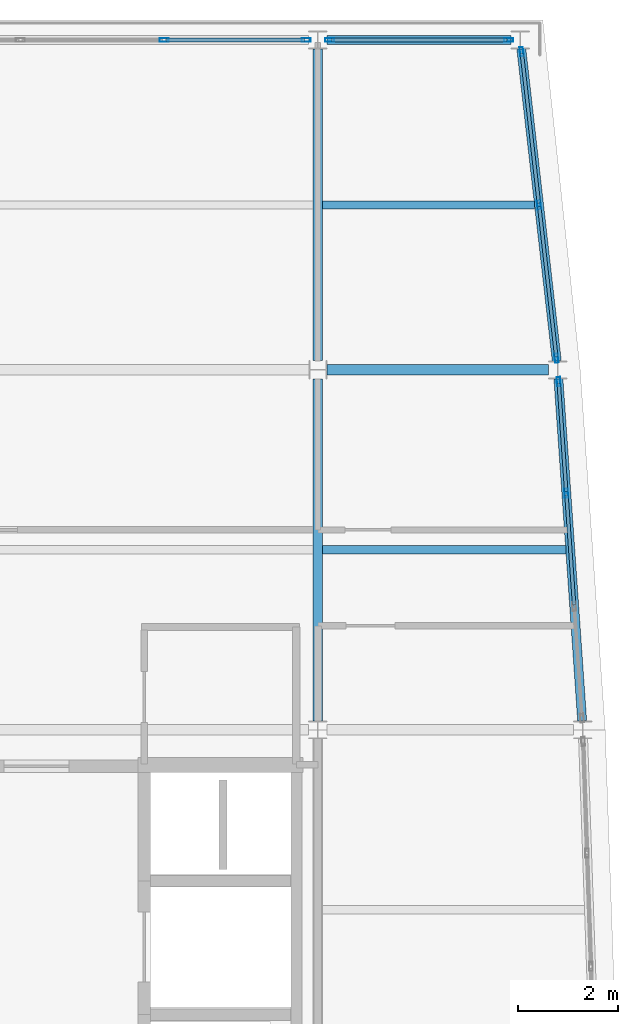
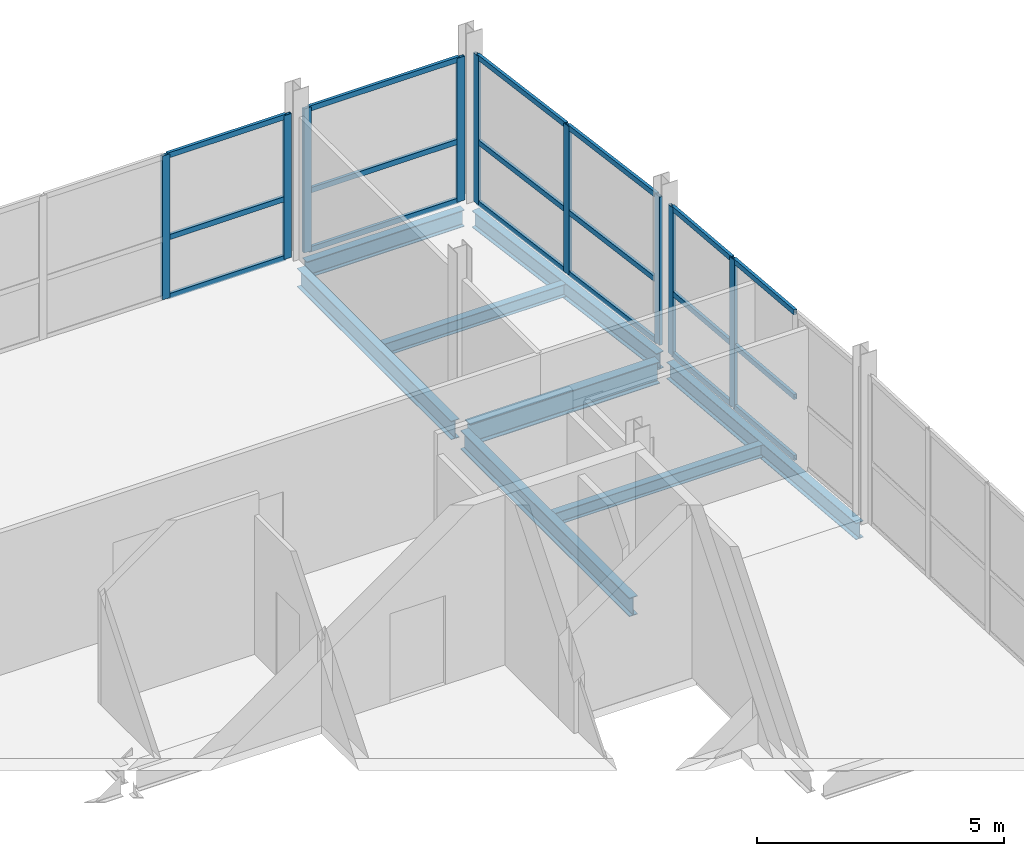
# One storey, part 9 of 17: 27 members, 8 beams, 4 elements without a shape of their own.
"""IFC4 building model written with IfcOpenShell, lengths in metres."""

from ifc_helpers import new_model, si_unit, direction, frame, origin, origin_2d, place, context, subcontext, project, spatial, hollow_rectangle, i_section, extrude, material, layer, layer_set, material_profile, profile_set, type_object, element, aggregate, save


model = new_model("IFC4")

# Units and contexts
model_context = context("Model", 3, precision=1e-05, world=origin(), true_north=direction((0.0, 1.0)))
body_context = subcontext(model_context, "Body", "Model", "MODEL_VIEW")
ifc_project = project(units=[si_unit("LENGTHUNIT", "METRE"), si_unit("AREAUNIT", "SQUARE_METRE"), si_unit("VOLUMEUNIT", "CUBIC_METRE"), si_unit("PLANEANGLEUNIT", "RADIAN"), si_unit("MASSUNIT", "GRAM", prefix="KILO")], contexts=[model_context])

# Site, building, storey
site_placement = place(None, origin())
site = spatial("IfcSite", under=ifc_project, at=site_placement, CompositionType="ELEMENT")
building_placement = place(site_placement, origin())
building = spatial("IfcBuilding", under=site, at=building_placement, Name="Quillay Park Conservatory", CompositionType="ELEMENT")
storey_placement = place(building_placement, frame((0.0, 0.0, 56.10009765625)))
storey = spatial("IfcBuildingStorey", under=building, at=storey_placement, Name="L13", CompositionType="ELEMENT", Elevation=56.10009765625)

# Beams
ifc_material_1 = material(Name="Steel ASTM A992 Grade 50", Category="steel")
ifc_material_profile_1 = material_profile(ifc_material_1, i_section(OverallWidth=0.166015625, OverallDepth=0.31298828125, WebThickness=0.006591796875, FlangeThickness=0.01123046875, FilletRadius=0.010009765625, at=origin_2d()), Name="W310x45")
ifc_profile_set_1 = profile_set([ifc_material_profile_1], Name="Steel ASTM A992 Grade 50")
beam_type_1 = type_object("IfcBeamType", Name="COMPOSITE FLOOR JOIST W310 X45", PredefinedType="JOIST", material=ifc_profile_set_1)
beam_1_placement = place(storey_placement, frame((19.845947265625, 103.199951171875, -0.356689453125), z_axis=(1.0, 0.0, 0.0), x_axis=(0.0, 1.0, 0.0)))
element("IfcBeam", 1, at=beam_1_placement, inside=storey, type_object=beam_type_1, Name="L13 beam BM-J-0933", PredefinedType="JOIST", context=body_context, shape_type="SweptSolid", body=[
    extrude(i_section(OverallWidth=0.166015625, OverallDepth=0.31298828125, WebThickness=0.006591796875, FlangeThickness=0.01123046875, FilletRadius=0.010009765625, at=origin_2d()), origin(), (0.0, 0.0, 1.0), 4.864013671875),
])
beam_2_placement = place(storey_placement, frame((19.845947265625, 110.10009765625, -0.356689453125), z_axis=(1.0, 0.0, 0.0), x_axis=(0.0, 1.0, 0.0)))
element("IfcBeam", 2, at=beam_2_placement, inside=storey, type_object=beam_type_1, Name="L13 beam BM-J-0940", PredefinedType="JOIST", context=body_context, shape_type="SweptSolid", body=[
    extrude(i_section(OverallWidth=0.166015625, OverallDepth=0.31298828125, WebThickness=0.006591796875, FlangeThickness=0.01123046875, FilletRadius=0.010009765625, at=origin_2d()), origin(), (0.0, 0.0, 1.0), 4.239013671875),
])

# Curtain wall, members
ifc_material_2 = material(Name="Thermally Broken Anodised Aluminium 6063-T6", Category="aluminium")
ifc_layer = layer(ifc_material_2, 0.179931640625)
ifc_layer_set = layer_set([ifc_layer], Name="UNITISED CURTAIN WALL TOWER (Thermally Broken Anodised Aluminium 6063-T6)")
curtain_wall_type = type_object("IfcCurtainWallType", Name="UNITISED CURTAIN WALL TOWER", PredefinedType="USERDEFINED", material=ifc_layer_set)
curtain_wall_1_placement = place(storey_placement, origin())
curtain_wall_1 = element("IfcCurtainWall", 3, at=curtain_wall_1_placement, inside=storey, type_object=curtain_wall_type, Name="L13 Unitised Curtain Wall 126", ObjectType="UNITISED CURTAIN WALL", PredefinedType="USERDEFINED")
ifc_material_3 = material(Name="Thermally Broken Anodised Aluminium 6063-T6", Category="aluminium")
ifc_material_profile_2 = material_profile(ifc_material_3, hollow_rectangle(XDim=0.070068359375, YDim=0.179931640625, WallThickness=0.00390625, at=origin_2d()), Name="AL70x180x4")
ifc_profile_set_2 = profile_set([ifc_material_profile_2], Name="Thermally Broken Anodised Aluminium 6063-T6")
member_type_1 = type_object("IfcMemberType", Name="CURTAIN WALL MULLION 70 X180", PredefinedType="MULLION", material=ifc_profile_set_2)
member_1_placement = place(storey_placement, frame((24.56640625, 106.565673828125, 0.0), z_axis=(0.0, 0.0, 1.0), x_axis=(0.99759835015, 0.069264217159, 0.0)))
member_1 = element("IfcMember", 4, at=member_1_placement, type_object=member_type_1, Name="CW-T1 mullion 1", PredefinedType="MULLION", context=body_context, shape_type="SweptSolid", body=[
    extrude(hollow_rectangle(XDim=0.070068359375, YDim=0.179931640625, WallThickness=0.00390625, at=origin_2d()), origin(), (0.0, 0.0, 1.0), 3.6669921875),
])
member_2_placement = place(storey_placement, frame((24.72119140625, 104.33349609375, 0.0), z_axis=(0.0, 0.0, 1.0), x_axis=(0.99759835015, 0.069264217159, 0.0)))
member_2 = element("IfcMember", 5, at=member_2_placement, type_object=member_type_1, Name="CW-T1 mullion 2", PredefinedType="MULLION", context=body_context, shape_type="SweptSolid", body=[
    extrude(hollow_rectangle(XDim=0.070068359375, YDim=0.179931640625, WallThickness=0.00390625, at=origin_2d()), origin(), (0.0, 0.0, 1.0), 3.6669921875),
])

curtain_wall_2_placement = place(storey_placement, origin())
curtain_wall_2 = element("IfcCurtainWall", 6, at=curtain_wall_2_placement, inside=storey, type_object=curtain_wall_type, Name="L13 Unitised Curtain Wall 127", ObjectType="UNITISED CURTAIN WALL", PredefinedType="USERDEFINED")
member_3_placement = place(storey_placement, frame((23.82666015625, 113.16650390625, 0.0), z_axis=(0.0, 0.0, 1.0), x_axis=(0.993605989969, 0.112903218278, 0.0)))
member_3 = element("IfcMember", 7, at=member_3_placement, type_object=member_type_1, Name="CW-T1 mullion 1", PredefinedType="MULLION", context=body_context, shape_type="SweptSolid", body=[
    extrude(hollow_rectangle(XDim=0.070068359375, YDim=0.179931640625, WallThickness=0.00390625, at=origin_2d()), origin(), (0.0, 0.0, 1.0), 3.6669921875),
])
member_4_placement = place(storey_placement, frame((24.175048828125, 110.10009765625, 0.0), z_axis=(0.0, 0.0, 1.0), x_axis=(0.993605989969, 0.112903218278, 0.0)))
member_4 = element("IfcMember", 8, at=member_4_placement, type_object=member_type_1, Name="CW-T1 mullion 2", PredefinedType="MULLION", context=body_context, shape_type="SweptSolid", body=[
    extrude(hollow_rectangle(XDim=0.070068359375, YDim=0.179931640625, WallThickness=0.00390625, at=origin_2d()), origin(), (0.0, 0.0, 1.0), 3.6669921875),
])
member_5_placement = place(storey_placement, frame((24.5234375, 107.033447265625, 0.0), z_axis=(0.0, 0.0, 1.0), x_axis=(0.993605989969, 0.112903218278, 0.0)))
member_5 = element("IfcMember", 9, at=member_5_placement, type_object=member_type_1, Name="CW-T1 mullion 3", PredefinedType="MULLION", context=body_context, shape_type="SweptSolid", body=[
    extrude(hollow_rectangle(XDim=0.070068359375, YDim=0.179931640625, WallThickness=0.00390625, at=origin_2d()), origin(), (0.0, 0.0, 1.0), 3.6669921875),
])

curtain_wall_3_placement = place(storey_placement, origin())
curtain_wall_3 = element("IfcCurtainWall", 10, at=curtain_wall_3_placement, inside=storey, type_object=curtain_wall_type, Name="L13 Unitised Curtain Wall 129", ObjectType="UNITISED CURTAIN WALL", PredefinedType="USERDEFINED")
member_6_placement = place(storey_placement, frame((16.675048828125, 113.39990234375, 0.0), z_axis=(0.0, 0.0, 1.0), x_axis=(0.0, 1.0, 0.0)))
member_6 = element("IfcMember", 11, at=member_6_placement, type_object=member_type_1, Name="CW-T1 mullion 4", PredefinedType="MULLION", context=body_context, shape_type="SweptSolid", body=[
    extrude(hollow_rectangle(XDim=0.070068359375, YDim=0.179931640625, WallThickness=0.00390625, at=origin_2d()), origin(), (0.0, 0.0, 1.0), 3.553955078125),
])
member_7_placement = place(storey_placement, frame((19.514892578125, 113.39990234375, 0.0), z_axis=(0.0, 0.0, 1.0), x_axis=(0.0, 1.0, 0.0)))
member_7 = element("IfcMember", 12, at=member_7_placement, type_object=member_type_1, Name="CW-T1 mullion 5", PredefinedType="MULLION", context=body_context, shape_type="SweptSolid", body=[
    extrude(hollow_rectangle(XDim=0.070068359375, YDim=0.179931640625, WallThickness=0.00390625, at=origin_2d()), origin(), (0.0, 0.0, 1.0), 3.553955078125),
])

curtain_wall_4_placement = place(storey_placement, origin())
curtain_wall_4 = element("IfcCurtainWall", 13, at=curtain_wall_4_placement, inside=storey, type_object=curtain_wall_type, Name="L13 Unitised Curtain Wall 130", ObjectType="UNITISED CURTAIN WALL", PredefinedType="USERDEFINED")
member_8_placement = place(storey_placement, frame((19.985107421875, 113.39990234375, 0.0), z_axis=(0.0, 0.0, 1.0), x_axis=(0.0, 1.0, 0.0)))
member_8 = element("IfcMember", 14, at=member_8_placement, type_object=member_type_1, Name="CW-T1 mullion 1", PredefinedType="MULLION", context=body_context, shape_type="SweptSolid", body=[
    extrude(hollow_rectangle(XDim=0.070068359375, YDim=0.179931640625, WallThickness=0.00390625, at=origin_2d()), origin(), (0.0, 0.0, 1.0), 3.553955078125),
])
member_9_placement = place(storey_placement, frame((23.56494140625, 113.39990234375, 0.0), z_axis=(0.0, 0.0, 1.0), x_axis=(0.0, 1.0, 0.0)))
member_9 = element("IfcMember", 15, at=member_9_placement, type_object=member_type_1, Name="CW-T1 mullion 2", PredefinedType="MULLION", context=body_context, shape_type="SweptSolid", body=[
    extrude(hollow_rectangle(XDim=0.070068359375, YDim=0.179931640625, WallThickness=0.00390625, at=origin_2d()), origin(), (0.0, 0.0, 1.0), 3.553955078125),
])

# Member
ifc_material_4 = material(Name="Thermally Broken Anodised Aluminium 6063-T6", Category="aluminium")
ifc_material_profile_3 = material_profile(ifc_material_4, hollow_rectangle(XDim=0.070068359375, YDim=0.1298828125, WallThickness=0.003173828125, at=origin_2d()), Name="AL70x130x3.2")
ifc_profile_set_3 = profile_set([ifc_material_profile_3], Name="Thermally Broken Anodised Aluminium 6063-T6")
member_type_2 = type_object("IfcMemberType", Name="CURTAIN WALL TRANSOM 70 X130", PredefinedType="USERDEFINED", material=ifc_profile_set_3)
member_10_placement = place(storey_placement, frame((24.56884765625, 106.53076171875, 0.034912109375), z_axis=(0.069269814421, -0.997597961511, 0.0), x_axis=(0.997597961511, 0.069269814421, 0.0)))
member_10 = element("IfcMember", 16, at=member_10_placement, type_object=member_type_2, Name="CW-T1 transom 1.1", ObjectType="TRANSOM", PredefinedType="USERDEFINED", context=body_context, shape_type="SweptSolid", body=[
    extrude(hollow_rectangle(XDim=0.070068359375, YDim=0.1298828125, WallThickness=0.003173828125, at=origin_2d()), origin(), (0.0, 0.0, 1.0), 2.16748046875),
])

member_11_placement = place(storey_placement, frame((24.56884765625, 106.53076171875, 1.5400390625), z_axis=(0.069269814421, -0.997597961511, 0.0), x_axis=(0.997597961511, 0.069269814421, 0.0)))
member_11 = element("IfcMember", 17, at=member_11_placement, type_object=member_type_2, Name="CW-T1 transom 1.2", ObjectType="TRANSOM", PredefinedType="USERDEFINED", context=body_context, shape_type="SweptSolid", body=[
    extrude(hollow_rectangle(XDim=0.070068359375, YDim=0.1298828125, WallThickness=0.003173828125, at=origin_2d()), origin(), (0.0, 0.0, 1.0), 2.16748046875),
])

member_12_placement = place(storey_placement, frame((24.56884765625, 106.53076171875, 3.6318359375), z_axis=(0.069269814421, -0.997597961511, 0.0), x_axis=(0.997597961511, 0.069269814421, 0.0)))
member_12 = element("IfcMember", 18, at=member_12_placement, type_object=member_type_2, Name="CW-T1 transom 1.3", ObjectType="TRANSOM", PredefinedType="USERDEFINED", context=body_context, shape_type="SweptSolid", body=[
    extrude(hollow_rectangle(XDim=0.070068359375, YDim=0.1298828125, WallThickness=0.003173828125, at=origin_2d()), origin(), (0.0, 0.0, 1.0), 2.16748046875),
])

member_13_placement = place(storey_placement, frame((24.7236328125, 104.298583984375, 0.034912109375), z_axis=(0.069277598678, -0.997597420968, 0.0), x_axis=(0.997597420968, 0.069277598678, 0.0)))
member_13 = element("IfcMember", 19, at=member_13_placement, type_object=member_type_2, Name="CW-T1 transom 2.1", ObjectType="TRANSOM", PredefinedType="USERDEFINED", context=body_context, shape_type="SweptSolid", body=[
    extrude(hollow_rectangle(XDim=0.070068359375, YDim=0.1298828125, WallThickness=0.003173828125, at=origin_2d()), origin(), (0.0, 0.0, 1.0), 2.20263671875),
])

member_14_placement = place(storey_placement, frame((24.7236328125, 104.298583984375, 1.5400390625), z_axis=(0.069277598678, -0.997597420968, 0.0), x_axis=(0.997597420968, 0.069277598678, 0.0)))
member_14 = element("IfcMember", 20, at=member_14_placement, type_object=member_type_2, Name="CW-T1 transom 2.2", ObjectType="TRANSOM", PredefinedType="USERDEFINED", context=body_context, shape_type="SweptSolid", body=[
    extrude(hollow_rectangle(XDim=0.070068359375, YDim=0.1298828125, WallThickness=0.003173828125, at=origin_2d()), origin(), (0.0, 0.0, 1.0), 2.20263671875),
])

member_15_placement = place(storey_placement, frame((24.7236328125, 104.298583984375, 3.6318359375), z_axis=(0.069277598678, -0.997597420968, 0.0), x_axis=(0.997597420968, 0.069277598678, 0.0)))
member_15 = element("IfcMember", 21, at=member_15_placement, type_object=member_type_2, Name="CW-T1 transom 2.3", ObjectType="TRANSOM", PredefinedType="USERDEFINED", context=body_context, shape_type="SweptSolid", body=[
    extrude(hollow_rectangle(XDim=0.070068359375, YDim=0.1298828125, WallThickness=0.003173828125, at=origin_2d()), origin(), (0.0, 0.0, 1.0), 2.20263671875),
])

aggregate(curtain_wall_1, [member_1, member_2, member_10, member_11, member_12, member_13, member_14, member_15])

member_16_placement = place(storey_placement, frame((23.83056640625, 113.1318359375, 0.034912109375), z_axis=(0.112909688044, -0.99360525479, 0.0), x_axis=(0.99360525479, 0.112909688044, 0.0)))
member_16 = element("IfcMember", 22, at=member_16_placement, type_object=member_type_2, Name="CW-T1 transom 1.1", ObjectType="TRANSOM", PredefinedType="USERDEFINED", context=body_context, shape_type="SweptSolid", body=[
    extrude(hollow_rectangle(XDim=0.070068359375, YDim=0.1298828125, WallThickness=0.003173828125, at=origin_2d()), origin(), (0.0, 0.0, 1.0), 3.016357421875),
])

member_17_placement = place(storey_placement, frame((23.83056640625, 113.1318359375, 1.5400390625), z_axis=(0.112909688044, -0.99360525479, 0.0), x_axis=(0.99360525479, 0.112909688044, 0.0)))
member_17 = element("IfcMember", 23, at=member_17_placement, type_object=member_type_2, Name="CW-T1 transom 1.2", ObjectType="TRANSOM", PredefinedType="USERDEFINED", context=body_context, shape_type="SweptSolid", body=[
    extrude(hollow_rectangle(XDim=0.070068359375, YDim=0.1298828125, WallThickness=0.003173828125, at=origin_2d()), origin(), (0.0, 0.0, 1.0), 3.016357421875),
])

member_18_placement = place(storey_placement, frame((23.83056640625, 113.1318359375, 3.6318359375), z_axis=(0.112909688044, -0.99360525479, 0.0), x_axis=(0.99360525479, 0.112909688044, 0.0)))
member_18 = element("IfcMember", 24, at=member_18_placement, type_object=member_type_2, Name="CW-T1 transom 1.3", ObjectType="TRANSOM", PredefinedType="USERDEFINED", context=body_context, shape_type="SweptSolid", body=[
    extrude(hollow_rectangle(XDim=0.070068359375, YDim=0.1298828125, WallThickness=0.003173828125, at=origin_2d()), origin(), (0.0, 0.0, 1.0), 3.016357421875),
])

member_19_placement = place(storey_placement, frame((24.178955078125, 110.065185546875, 0.034912109375), z_axis=(0.112918769109, -0.993604222808, 0.0), x_axis=(0.993604222808, 0.112918769109, 0.0)))
member_19 = element("IfcMember", 25, at=member_19_placement, type_object=member_type_2, Name="CW-T1 transom 2.1", ObjectType="TRANSOM", PredefinedType="USERDEFINED", context=body_context, shape_type="SweptSolid", body=[
    extrude(hollow_rectangle(XDim=0.070068359375, YDim=0.1298828125, WallThickness=0.003173828125, at=origin_2d()), origin(), (0.0, 0.0, 1.0), 3.01611328125),
])

member_20_placement = place(storey_placement, frame((24.178955078125, 110.065185546875, 1.5400390625), z_axis=(0.112918769109, -0.993604222808, 0.0), x_axis=(0.993604222808, 0.112918769109, 0.0)))
member_20 = element("IfcMember", 26, at=member_20_placement, type_object=member_type_2, Name="CW-T1 transom 2.2", ObjectType="TRANSOM", PredefinedType="USERDEFINED", context=body_context, shape_type="SweptSolid", body=[
    extrude(hollow_rectangle(XDim=0.070068359375, YDim=0.1298828125, WallThickness=0.003173828125, at=origin_2d()), origin(), (0.0, 0.0, 1.0), 3.01611328125),
])

member_21_placement = place(storey_placement, frame((24.178955078125, 110.065185546875, 3.6318359375), z_axis=(0.112918769109, -0.993604222808, 0.0), x_axis=(0.993604222808, 0.112918769109, 0.0)))
member_21 = element("IfcMember", 27, at=member_21_placement, type_object=member_type_2, Name="CW-T1 transom 2.3", ObjectType="TRANSOM", PredefinedType="USERDEFINED", context=body_context, shape_type="SweptSolid", body=[
    extrude(hollow_rectangle(XDim=0.070068359375, YDim=0.1298828125, WallThickness=0.003173828125, at=origin_2d()), origin(), (0.0, 0.0, 1.0), 3.01611328125),
])

aggregate(curtain_wall_2, [member_3, member_4, member_5, member_16, member_17, member_18, member_19, member_20, member_21])

member_22_placement = place(storey_placement, frame((16.7099609375, 113.39990234375, 0.034912109375), z_axis=(1.0, 0.0, 0.0), x_axis=(0.0, 1.0, 0.0)))
member_22 = element("IfcMember", 28, at=member_22_placement, type_object=member_type_2, Name="CW-T1 transom 4.1", ObjectType="TRANSOM", PredefinedType="USERDEFINED", context=body_context, shape_type="SweptSolid", body=[
    extrude(hollow_rectangle(XDim=0.070068359375, YDim=0.1298828125, WallThickness=0.003173828125, at=origin_2d()), origin(), (0.0, 0.0, 1.0), 2.77001953125),
])

member_23_placement = place(storey_placement, frame((16.7099609375, 113.39990234375, 1.49267578125), z_axis=(1.0, 0.0, 0.0), x_axis=(0.0, 1.0, 0.0)))
member_23 = element("IfcMember", 29, at=member_23_placement, type_object=member_type_2, Name="CW-T1 transom 4.2", ObjectType="TRANSOM", PredefinedType="USERDEFINED", context=body_context, shape_type="SweptSolid", body=[
    extrude(hollow_rectangle(XDim=0.070068359375, YDim=0.1298828125, WallThickness=0.003173828125, at=origin_2d()), origin(), (0.0, 0.0, 1.0), 2.77001953125),
])

member_24_placement = place(storey_placement, frame((16.7099609375, 113.39990234375, 3.518798828125), z_axis=(1.0, 0.0, 0.0), x_axis=(0.0, 1.0, 0.0)))
member_24 = element("IfcMember", 30, at=member_24_placement, type_object=member_type_2, Name="CW-T1 transom 4.3", ObjectType="TRANSOM", PredefinedType="USERDEFINED", context=body_context, shape_type="SweptSolid", body=[
    extrude(hollow_rectangle(XDim=0.070068359375, YDim=0.1298828125, WallThickness=0.003173828125, at=origin_2d()), origin(), (0.0, 0.0, 1.0), 2.77001953125),
])

aggregate(curtain_wall_3, [member_6, member_7, member_22, member_23, member_24])

member_25_placement = place(storey_placement, frame((20.02001953125, 113.39990234375, 0.034912109375), z_axis=(1.0, 0.0, 0.0), x_axis=(0.0, 1.0, 0.0)))
member_25 = element("IfcMember", 31, at=member_25_placement, type_object=member_type_2, Name="CW-T1 transom 1.1", ObjectType="TRANSOM", PredefinedType="USERDEFINED", context=body_context, shape_type="SweptSolid", body=[
    extrude(hollow_rectangle(XDim=0.070068359375, YDim=0.1298828125, WallThickness=0.003173828125, at=origin_2d()), origin(), (0.0, 0.0, 1.0), 3.510009765625),
])

member_26_placement = place(storey_placement, frame((20.02001953125, 113.39990234375, 1.49267578125), z_axis=(1.0, 0.0, 0.0), x_axis=(0.0, 1.0, 0.0)))
member_26 = element("IfcMember", 32, at=member_26_placement, type_object=member_type_2, Name="CW-T1 transom 1.2", ObjectType="TRANSOM", PredefinedType="USERDEFINED", context=body_context, shape_type="SweptSolid", body=[
    extrude(hollow_rectangle(XDim=0.070068359375, YDim=0.1298828125, WallThickness=0.003173828125, at=origin_2d()), origin(), (0.0, 0.0, 1.0), 3.510009765625),
])

member_27_placement = place(storey_placement, frame((20.02001953125, 113.39990234375, 3.518798828125), z_axis=(1.0, 0.0, 0.0), x_axis=(0.0, 1.0, 0.0)))
member_27 = element("IfcMember", 33, at=member_27_placement, type_object=member_type_2, Name="CW-T1 transom 1.3", ObjectType="TRANSOM", PredefinedType="USERDEFINED", context=body_context, shape_type="SweptSolid", body=[
    extrude(hollow_rectangle(XDim=0.070068359375, YDim=0.1298828125, WallThickness=0.003173828125, at=origin_2d()), origin(), (0.0, 0.0, 1.0), 3.510009765625),
])

aggregate(curtain_wall_4, [member_8, member_9, member_25, member_26, member_27])

# Beams
ifc_material_5 = material(Name="Steel ASTM A992 Grade 50", Category="steel")
ifc_material_profile_4 = material_profile(ifc_material_5, i_section(OverallWidth=0.179931640625, OverallDepth=0.4130859375, WebThickness=0.009765625, FlangeThickness=0.01611328125, FilletRadius=0.011962890625, at=origin_2d()), Name="W410x74")
ifc_profile_set_4 = profile_set([ifc_material_profile_4], Name="Steel ASTM A992 Grade 50")
beam_type_2 = type_object("IfcBeamType", Name="PERIMETER SPANDREL BEAM W410 X74", PredefinedType="SPANDREL", material=ifc_profile_set_4)
beam_3_placement = place(storey_placement, frame((19.9345703125, 113.39990234375, -0.406494140625), z_axis=(1.0, 0.0, 0.0), x_axis=(0.0, 1.0, 0.0)))
element("IfcBeam", 34, at=beam_3_placement, inside=storey, type_object=beam_type_2, Name="L13 beam BM-SP-0902", PredefinedType="SPANDREL", context=body_context, shape_type="SweptSolid", body=[
    extrude(i_section(OverallWidth=0.179931640625, OverallDepth=0.4130859375, WebThickness=0.009765625, FlangeThickness=0.01611328125, FilletRadius=0.011962890625, at=origin_2d()), origin(), (0.0, 0.0, 1.0), 3.680908203125),
])
beam_4_placement = place(storey_placement, frame((25.03759765625, 99.777587890625, -0.406494140625), z_axis=(-0.069279566009, 0.997597284346, 0.0), x_axis=(-0.997597284346, -0.069279566009, 0.0)))
element("IfcBeam", 35, at=beam_4_placement, inside=storey, type_object=beam_type_2, Name="L13 beam BM-SPE-0929", PredefinedType="SPANDREL", context=body_context, shape_type="SweptSolid", body=[
    extrude(i_section(OverallWidth=0.179931640625, OverallDepth=0.4130859375, WebThickness=0.009765625, FlangeThickness=0.01611328125, FilletRadius=0.011962890625, at=origin_2d()), origin(), (0.0, 0.0, 1.0), 6.861328125),
])
beam_5_placement = place(storey_placement, frame((24.52978515625, 106.976806640625, -0.406494140625), z_axis=(-0.112894874685, 0.993606938014, 0.0), x_axis=(-0.993606938014, -0.112894874685, 0.0)))
element("IfcBeam", 36, at=beam_5_placement, inside=storey, type_object=beam_type_2, Name="L13 beam BM-SPE-0936", PredefinedType="SPANDREL", context=body_context, shape_type="SweptSolid", body=[
    extrude(i_section(OverallWidth=0.179931640625, OverallDepth=0.4130859375, WebThickness=0.009765625, FlangeThickness=0.01611328125, FilletRadius=0.011962890625, at=origin_2d()), origin(), (0.0, 0.0, 1.0), 6.28662109375),
])
ifc_material_6 = material(Name="Steel ASTM A992 Grade 50", Category="steel")
ifc_material_profile_5 = material_profile(ifc_material_6, i_section(OverallWidth=0.19189453125, OverallDepth=0.462890625, WebThickness=0.010498046875, FlangeThickness=0.017578125, FilletRadius=0.012939453125, at=origin_2d()), Name="W460x89")
ifc_profile_set_5 = profile_set([ifc_material_profile_5], Name="Steel ASTM A992 Grade 50")
beam_type_3 = type_object("IfcBeamType", Name="PRIMARY FLOOR GIRDER W460 X89", PredefinedType="BEAM", material=ifc_profile_set_5)
beam_6_placement = place(storey_placement, frame((19.75, 99.778076171875, -0.431640625), z_axis=(0.0, 1.0, 0.0), x_axis=(-1.0, 0.0, 0.0)))
element("IfcBeam", 37, at=beam_6_placement, inside=storey, type_object=beam_type_3, Name="L13 beam BM-GNS-0931", PredefinedType="BEAM", context=body_context, shape_type="SweptSolid", body=[
    extrude(i_section(OverallWidth=0.19189453125, OverallDepth=0.462890625, WebThickness=0.010498046875, FlangeThickness=0.017578125, FilletRadius=0.012939453125, at=origin_2d()), origin(), (0.0, 0.0, 1.0), 6.83740234375),
])
beam_7_placement = place(storey_placement, frame((19.75, 106.984619140625, -0.431640625), z_axis=(0.0, 1.0, 0.0), x_axis=(-1.0, 0.0, 0.0)))
element("IfcBeam", 38, at=beam_7_placement, inside=storey, type_object=beam_type_3, Name="L13 beam BM-GNS-0938", PredefinedType="BEAM", context=body_context, shape_type="SweptSolid", body=[
    extrude(i_section(OverallWidth=0.19189453125, OverallDepth=0.462890625, WebThickness=0.010498046875, FlangeThickness=0.017578125, FilletRadius=0.012939453125, at=origin_2d()), origin(), (0.0, 0.0, 1.0), 6.2373046875),
])
ifc_material_7 = material(Name="Steel ASTM A992 Grade 50", Category="steel")
ifc_material_profile_6 = material_profile(ifc_material_7, i_section(OverallWidth=0.2109375, OverallDepth=0.5390625, WebThickness=0.01171875, FlangeThickness=0.018798828125, FilletRadius=0.013916015625, at=origin_2d()), Name="W530x109")
ifc_profile_set_6 = profile_set([ifc_material_profile_6], Name="Steel ASTM A992 Grade 50")
beam_type_4 = type_object("IfcBeamType", Name="PRIMARY FLOOR GIRDER W530 X109", PredefinedType="BEAM", material=ifc_profile_set_6)
beam_8_placement = place(storey_placement, frame((19.927978515625, 106.800048828125, -0.469482421875), z_axis=(1.0, 0.0, 0.0), x_axis=(0.0, 1.0, 0.0)))
element("IfcBeam", 39, at=beam_8_placement, inside=storey, type_object=beam_type_4, Name="L13 beam BM-G-0899", PredefinedType="BEAM", context=body_context, shape_type="SweptSolid", body=[
    extrude(i_section(OverallWidth=0.2109375, OverallDepth=0.5390625, WebThickness=0.01171875, FlangeThickness=0.018798828125, FilletRadius=0.013916015625, at=origin_2d()), origin(), (0.0, 0.0, 1.0), 4.4375),
])

save(model, "model.ifc")
